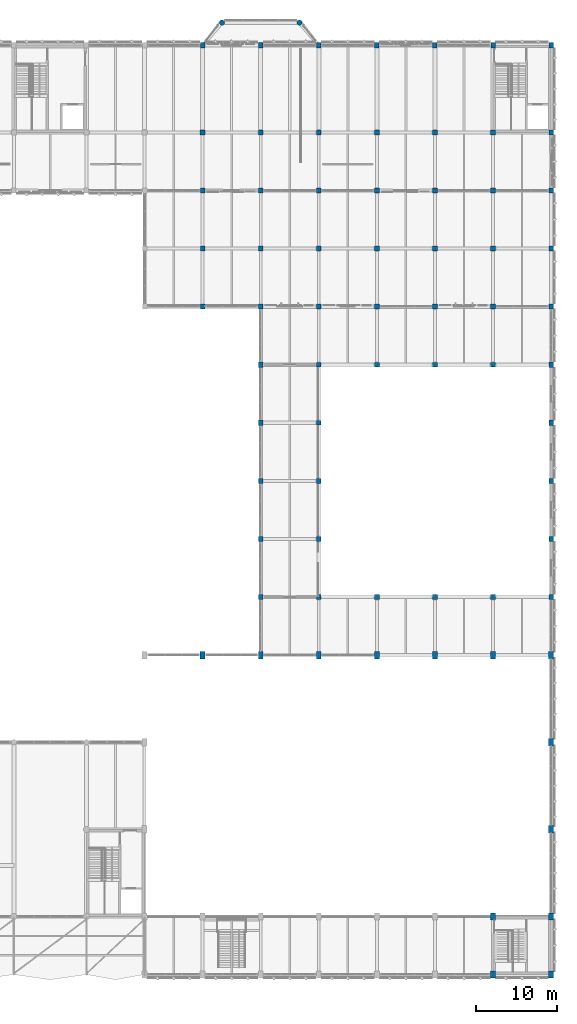
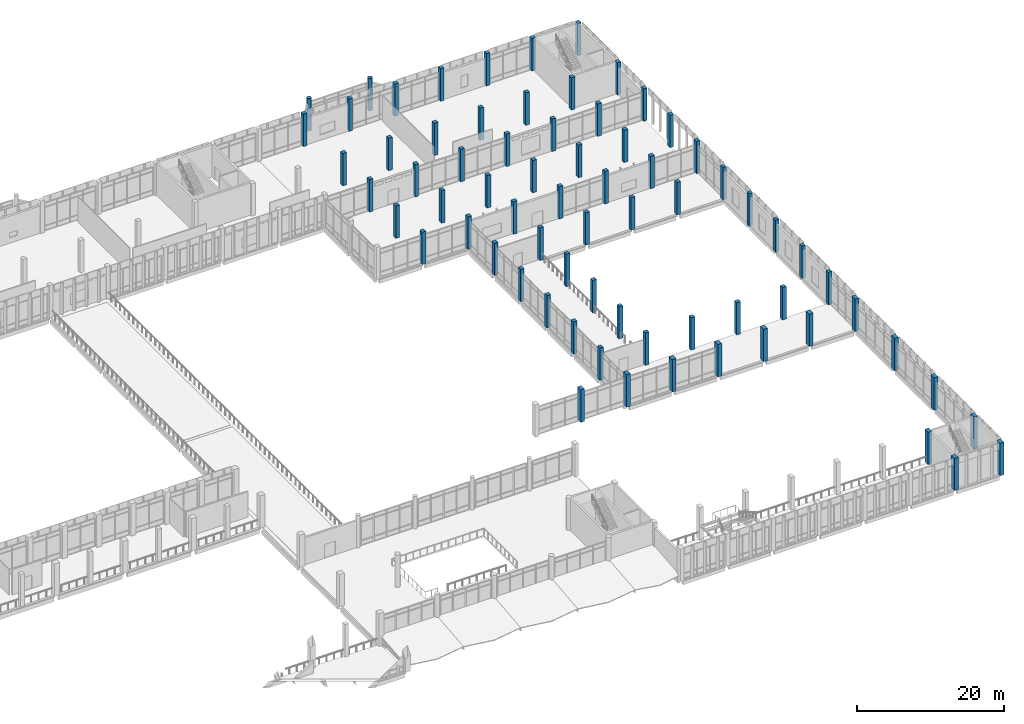
# One storey, part 7 of 180: 71 columns.
"""IFC4 building model written with IfcOpenShell, lengths in metres."""

import ifcopenshell
import ifcopenshell.guid

model = None  # the IFC model being written
_history = None  # IfcOwnerHistory: only IFC2X3 demands one
_inside = {}  # id of a spatial element -> (the spatial element, [elements in it])
_under = {}  # id of a project, library or spatial element -> (it, [spatial elements below it])
_declared = {}  # id of a project -> (the project, [libraries it declares])
_typed = {}  # id of a type object -> (the type object, [elements of that type])
_made_of = {}  # id of a material, layer set ... -> (it, [elements and type objects made of it])


def new_model(schema):
    """Start an empty IFC model of exactly this schema.

    Asked for "IFC4X3", IfcOpenShell would pick the latest addendum, in which some entities
    have other attributes; the version numbers below select the first issue.
    IFC2X3 requires an IfcOwnerHistory on every rooted entity: one is made here for all.
    """
    global model, _history
    if schema == "IFC4X3":
        model = ifcopenshell.file(schema_version=(4, 3, 0, 0))
    else:
        model = ifcopenshell.file(schema=schema)
    _inside.clear()
    _under.clear()
    _declared.clear()
    _typed.clear()
    _made_of.clear()
    _history = None
    if model.schema == "IFC2X3":
        org = make("IfcOrganization", Name="unknown")
        user = make(
            "IfcPersonAndOrganization",
            ThePerson=make("IfcPerson", FamilyName="unknown"),
            TheOrganization=org,
        )
        app = make(
            "IfcApplication",
            ApplicationDeveloper=org,
            Version="unknown",
            ApplicationFullName="unknown",
            ApplicationIdentifier="unknown",
        )
        _history = make(
            "IfcOwnerHistory",
            OwningUser=user,
            OwningApplication=app,
            ChangeAction="ADDED",
            CreationDate=0,
        )
    return model


def make(cls, **values):
    """One entity of the class cls with the attributes given. An attribute that is None is left unset."""
    return model.create_entity(
        cls, **{name: value for name, value in values.items() if value is not None}
    )


def rooted(cls, **values):
    """An entity with a GlobalId (a new one), such as an element, a storey or a relation."""
    return make(cls, GlobalId=ifcopenshell.guid.new(), OwnerHistory=_history, **values)


def si_unit(unit_type, name, prefix=None):
    """IfcSIUnit, for example si_unit("LENGTHUNIT", "METRE", prefix="MILLI")."""
    return make("IfcSIUnit", UnitType=unit_type, Prefix=prefix, Name=name)


def assignment(units):
    """IfcUnitAssignment: the units of a project."""
    return None if units is None else make("IfcUnitAssignment", Units=units)


def point(xyz):
    """IfcCartesianPoint."""
    return None if xyz is None else make("IfcCartesianPoint", Coordinates=xyz)


def direction(xyz):
    """IfcDirection."""
    return None if xyz is None else make("IfcDirection", DirectionRatios=xyz)


def frame(location, z_axis=None, x_axis=None):
    """IfcAxis2Placement3D, a coordinate frame: its origin and axes. An axis left out is left unset."""
    return make(
        "IfcAxis2Placement3D",
        Location=point(location),
        Axis=direction(z_axis),
        RefDirection=direction(x_axis),
    )


def frame_2d(location, x_axis=None):
    """IfcAxis2Placement2D, a coordinate frame in the plane: its origin and x axis."""
    return make(
        "IfcAxis2Placement2D", Location=point(location), RefDirection=direction(x_axis)
    )


def origin():
    """The frame at (0, 0, 0) with its axes left unset."""
    return frame((0.0, 0.0, 0.0))


def origin_2d():
    """The frame at (0, 0) in the plane with its x axis left unset."""
    return frame_2d((0.0, 0.0))


def place(relative_to, where):
    """IfcLocalPlacement: puts the frame where relative to a parent placement (None: the world)."""
    return make(
        "IfcLocalPlacement", PlacementRelTo=relative_to, RelativePlacement=where
    )


def context(
    kind, dimensions, precision=None, world=None, true_north=None, identifier=None
):
    """IfcGeometricRepresentationContext, for example the 3D "Model" context."""
    return make(
        "IfcGeometricRepresentationContext",
        ContextIdentifier=identifier,
        ContextType=kind,
        CoordinateSpaceDimension=dimensions,
        Precision=precision,
        WorldCoordinateSystem=world,
        TrueNorth=true_north,
    )


def subcontext(parent, identifier, kind, view, scale=None):
    """IfcGeometricRepresentationSubContext, for example "Body" below "Model"."""
    return make(
        "IfcGeometricRepresentationSubContext",
        ContextIdentifier=identifier,
        ContextType=kind,
        ParentContext=parent,
        TargetScale=scale,
        TargetView=view,
    )


def project(units=None, contexts=None):
    """IfcProject with its units and contexts."""
    return rooted(
        "IfcProject",
        Name="project",
        RepresentationContexts=contexts,
        UnitsInContext=assignment(units),
    )


def spatial(cls, under=None, at=None, **own):
    """A site, building, storey or space (cls), placed at a placement, below another one or the project."""
    s = rooted(cls, ObjectPlacement=at, **own)
    if under is not None:
        _under.setdefault(under.id(), (under, []))[1].append(s)
    return s


def profile(cls, at=None, kind="AREA", **sizes):
    """A parametric profile (cls). Its sizes go by their IFC names, for example OverallWidth=200.0."""
    return make(cls, ProfileType=kind, Position=at, **sizes)


def rectangle(**sizes):
    """IfcRectangleProfileDef."""
    return profile("IfcRectangleProfileDef", **sizes)


def circle(**sizes):
    """IfcCircleProfileDef."""
    return profile("IfcCircleProfileDef", **sizes)


def extrude(swept, where, along, depth):
    """IfcExtrudedAreaSolid: the profile swept, set in the frame where, extruded along a direction by depth."""
    return make(
        "IfcExtrudedAreaSolid",
        SweptArea=swept,
        Position=where,
        ExtrudedDirection=direction(along),
        Depth=depth,
    )


def shape(context_of_items, identifier, shape_type, items):
    """IfcShapeRepresentation: the items that make up one representation, for example the "Body"."""
    return make(
        "IfcShapeRepresentation",
        ContextOfItems=context_of_items,
        RepresentationIdentifier=identifier,
        RepresentationType=shape_type,
        Items=items,
    )


def material(Name=None, Category=None):
    """IfcMaterial."""
    return make("IfcMaterial", Name=Name, Category=Category)


def material_profile(
    of_material, cross_section, Name=None, Category=None, Priority=None
):
    """IfcMaterialProfile: a cross section and its material."""
    return make(
        "IfcMaterialProfile",
        Name=Name,
        Material=of_material,
        Profile=cross_section,
        Priority=Priority,
        Category=Category,
    )


def profile_set(profiles, Name=None, composite=None):
    """IfcMaterialProfileSet."""
    return make(
        "IfcMaterialProfileSet",
        Name=Name,
        MaterialProfiles=profiles,
        CompositeProfile=composite,
    )


def made_of(thing, what):
    """Note that an element or type object is made of a material, layer set ...; save() writes the relation."""
    if what is not None:
        _made_of.setdefault(what.id(), (what, []))[1].append(thing)
    return thing


def type_object(cls, material=None, **own):
    """A type object (cls), such as IfcWallType, which elements share."""
    return made_of(rooted(cls, **own), material)


def element(
    cls,
    number,
    at=None,
    inside=None,
    cuts=None,
    type_object=None,
    material=None,
    context=None,
    identifier="Body",
    shape_type=None,
    held_by="IfcProductDefinitionShape",
    body=None,
    shapes=None,
    **own,
):
    """One element of the class cls, such as IfcWall. Its Tag is "e" and its number.

    at: its placement. inside: the storey or other place that contains it. cuts: it is an
    opening in that element (IfcRelVoidsElement). A single representation is given by context,
    identifier, shape_type and body (its items); several are given by shapes. held_by: the class
    of the entity that holds the representations. save() writes the other relations.
    """
    e = rooted(cls, Tag="e%d" % number, ObjectPlacement=at, **own)
    if body is not None:
        shapes = [shape(context, identifier, shape_type, body)]
    if shapes is not None:
        e.Representation = make(held_by, Representations=shapes)
    if inside is not None:
        _inside.setdefault(inside.id(), (inside, []))[1].append(e)
    if cuts is not None:
        rooted(
            "IfcRelVoidsElement", RelatingBuildingElement=cuts, RelatedOpeningElement=e
        )
    if type_object is not None:
        _typed.setdefault(type_object.id(), (type_object, []))[1].append(e)
    return made_of(e, material)


def aggregate(whole, parts):
    """IfcRelAggregates: a whole, such as a stair, and the parts it consists of."""
    return rooted("IfcRelAggregates", RelatingObject=whole, RelatedObjects=parts)


def save(model, path):
    """Write the relations noted so far, then the file.

    IfcRelAggregates (storeys below a building ...), IfcRelContainedInSpatialStructure (elements
    in a storey), IfcRelDefinesByType, IfcRelAssociatesMaterial and IfcRelDeclares: one each for
    every whole, place, type object, material and project.
    """
    for whole, parts in _under.values():
        aggregate(whole, parts)
    for where, things in _inside.values():
        rooted(
            "IfcRelContainedInSpatialStructure",
            RelatedElements=things,
            RelatingStructure=where,
        )
    for kind, things in _typed.values():
        rooted("IfcRelDefinesByType", RelatedObjects=things, RelatingType=kind)
    for what, things in _made_of.values():
        rooted("IfcRelAssociatesMaterial", RelatedObjects=things, RelatingMaterial=what)
    for by, libraries in _declared.values():
        rooted("IfcRelDeclares", RelatingContext=by, RelatedDefinitions=libraries)
    model.write(path)


model = new_model("IFC4")

# Units and contexts
model_context = context("Model", 3, precision=1e-05, world=origin(), true_north=direction((0.0, 1.0)))
body_context = subcontext(model_context, "Body", "Model", "MODEL_VIEW")
ifc_project = project(units=[si_unit("LENGTHUNIT", "METRE"), si_unit("AREAUNIT", "SQUARE_METRE"), si_unit("VOLUMEUNIT", "CUBIC_METRE"), si_unit("PLANEANGLEUNIT", "RADIAN"), si_unit("MASSUNIT", "GRAM", prefix="KILO")], contexts=[model_context])

# Site, building, storey
site_placement = place(None, origin())
site = spatial("IfcSite", under=ifc_project, at=site_placement, CompositionType="ELEMENT")
building_placement = place(site_placement, origin())
building = spatial("IfcBuilding", under=site, at=building_placement, Name="Lusvemor Sports Hall", CompositionType="ELEMENT")
storey_placement = place(building_placement, frame((0.0, 0.0, 5.39990234375)))
storey = spatial("IfcBuildingStorey", under=building, at=storey_placement, Name="L01", CompositionType="ELEMENT", Elevation=5.39990234375)

# Columns
ifc_material_1 = material(Name="Concrete C40/50", Category="concrete")
ifc_material_profile_1 = material_profile(ifc_material_1, circle(Radius=0.324951171875, at=origin_2d()), Name="RCCIRC650")
ifc_profile_set_1 = profile_set([ifc_material_profile_1], Name="Concrete C40/50")
column_type_1 = type_object("IfcColumnType", Name="COL_COLONNADE", PredefinedType="COLUMN", material=ifc_profile_set_1)
for number, where, z_axis, x_axis, name in (
    (1, (128.39990234375, 118.0, 0.0), (0.0, 0.0, 1.0), (1.0, 0.0, 0.0), "Art Nouveau Bow Column BOW-N3-1 (L01)"),
    (2, (138.0, 118.0, 0.0), (0.0, 0.0, 1.0), (1.0, 0.0, 0.0), "Art Nouveau Bow Column BOW-N3-2 (L01)"),
):
    element("IfcColumn", number, at=place(storey_placement, frame(where, z_axis=z_axis, x_axis=x_axis)), inside=storey, type_object=column_type_1, Name=name, PredefinedType="COLUMN", context=body_context, shape_type="SweptSolid", body=[
        extrude(circle(Radius=0.324951171875, at=origin_2d()), origin(), (0.0, 0.0, 1.0), 5.400146484375),
    ])
ifc_material_2 = material(Name="Concrete C40/50", Category="concrete")
ifc_material_profile_2 = material_profile(ifc_material_2, rectangle(XDim=0.60009765625, YDim=0.89990234375, at=origin_2d()), Name="RC600x900")
ifc_profile_set_2 = profile_set([ifc_material_profile_2], Name="Concrete C40/50")
column_type_2 = type_object("IfcColumnType", Name="COL_STACK_E", PredefinedType="COLUMN", material=ifc_profile_set_2)
for number, where, z_axis, x_axis, name in (
    (3, (126.0, 39.60009765625, 0.0), (0.0, 0.0, 1.0), (1.0, 0.0, 0.0), "Column 14/E (L01)"),
    (4, (133.199951171875, 39.60009765625, 0.0), (0.0, 0.0, 1.0), (1.0, 0.0, 0.0), "Column 15/E (L01)"),
    (5, (140.39990234375, 39.60009765625, 0.0), (0.0, 0.0, 1.0), (1.0, 0.0, 0.0), "Column 16/E (L01)"),
    (6, (147.60009765625, 39.60009765625, 0.0), (0.0, 0.0, 1.0), (1.0, 0.0, 0.0), "Column 17/E (L01)"),
    (7, (154.800048828125, 39.60009765625, 0.0), (0.0, 0.0, 1.0), (1.0, 0.0, 0.0), "Column 18/E (L01)"),
    (8, (162.0, 0.0, 0.0), (0.0, 0.0, 1.0), (1.0, 0.0, 0.0), "Column 19/A (L01)"),
    (9, (162.0, 7.199951171875, 0.0), (0.0, 0.0, 1.0), (1.0, 0.0, 0.0), "Column 19/B (L01)"),
    (10, (162.0, 39.60009765625, 0.0), (0.0, 0.0, 1.0), (1.0, 0.0, 0.0), "Column 19/E (L01)"),
    (11, (169.199951171875, 0.0, 0.0), (0.0, 0.0, 1.0), (1.0, 0.0, 0.0), "Column 20/A (L01)"),
    (12, (169.199951171875, 7.199951171875, 0.0), (0.0, 0.0, 1.0), (1.0, 0.0, 0.0), "Column 20/B (L01)"),
    (13, (169.199951171875, 18.0, 0.0), (0.0, 0.0, 1.0), (1.0, 0.0, 0.0), "Column 20/C (L01)"),
    (14, (169.199951171875, 28.800048828125, 0.0), (0.0, 0.0, 1.0), (1.0, 0.0, 0.0), "Column 20/D (L01)"),
    (15, (169.199951171875, 39.60009765625, 0.0), (0.0, 0.0, 1.0), (1.0, 0.0, 0.0), "Column 20/E (L01)"),
):
    element("IfcColumn", number, at=place(storey_placement, frame(where, z_axis=z_axis, x_axis=x_axis)), inside=storey, type_object=column_type_2, Name=name, PredefinedType="COLUMN", context=body_context, shape_type="SweptSolid", body=[
        extrude(rectangle(XDim=0.60009765625, YDim=0.89990234375, at=origin_2d()), origin(), (0.0, 0.0, 1.0), 5.400146484375),
    ])
ifc_material_3 = material(Name="Concrete C40/50", Category="concrete")
ifc_material_profile_3 = material_profile(ifc_material_3, rectangle(XDim=0.56005859375, YDim=0.639892578125, at=origin_2d()), Name="RC560x640")
ifc_profile_set_3 = profile_set([ifc_material_profile_3], Name="Concrete C40/50")
column_type_3 = type_object("IfcColumnType", Name="COL_WING_E", PredefinedType="COLUMN", material=ifc_profile_set_3)
for number, where, z_axis, x_axis, name in (
    (16, (126.0, 82.800048828125, 0.0), (0.0, 0.0, 1.0), (1.0, 0.0, 0.0), "Column 14/L (L01)"),
    (17, (126.0, 90.0, 0.0), (0.0, 0.0, 1.0), (1.0, 0.0, 0.0), "Column 14/M (L01)"),
    (18, (126.0, 97.199951171875, 0.0), (0.0, 0.0, 1.0), (1.0, 0.0, 0.0), "Column 14/N (L01)"),
    (19, (126.0, 115.199951171875, 0.0), (0.0, 0.0, 1.0), (1.0, 0.0, 0.0), "Column 14/Q (L01)"),
    (20, (133.199951171875, 46.800048828125, 0.0), (0.0, 0.0, 1.0), (1.0, 0.0, 0.0), "Column 15/F (L01)"),
    (21, (133.199951171875, 54.0, 0.0), (0.0, 0.0, 1.0), (1.0, 0.0, 0.0), "Column 15/G (L01)"),
    (22, (133.199951171875, 61.199951171875, 0.0), (0.0, 0.0, 1.0), (1.0, 0.0, 0.0), "Column 15/H (L01)"),
    (23, (133.199951171875, 68.39990234375, 0.0), (0.0, 0.0, 1.0), (1.0, 0.0, 0.0), "Column 15/J (L01)"),
    (24, (133.199951171875, 75.60009765625, 0.0), (0.0, 0.0, 1.0), (1.0, 0.0, 0.0), "Column 15/K (L01)"),
    (25, (133.199951171875, 82.800048828125, 0.0), (0.0, 0.0, 1.0), (1.0, 0.0, 0.0), "Column 15/L (L01)"),
    (26, (133.199951171875, 90.0, 0.0), (0.0, 0.0, 1.0), (1.0, 0.0, 0.0), "Column 15/M (L01)"),
    (27, (133.199951171875, 97.199951171875, 0.0), (0.0, 0.0, 1.0), (1.0, 0.0, 0.0), "Column 15/N (L01)"),
    (28, (133.199951171875, 115.199951171875, 0.0), (0.0, 0.0, 1.0), (1.0, 0.0, 0.0), "Column 15/Q (L01)"),
    (29, (140.39990234375, 115.199951171875, 0.0), (0.0, 0.0, 1.0), (1.0, 0.0, 0.0), "Column 16/Q (L01)"),
    (30, (147.60009765625, 115.199951171875, 0.0), (0.0, 0.0, 1.0), (1.0, 0.0, 0.0), "Column 17/Q (L01)"),
    (31, (154.800048828125, 115.199951171875, 0.0), (0.0, 0.0, 1.0), (1.0, 0.0, 0.0), "Column 18/Q (L01)"),
    (32, (162.0, 115.199951171875, 0.0), (0.0, 0.0, 1.0), (1.0, 0.0, 0.0), "Column 19/Q (L01)"),
    (33, (169.199951171875, 46.800048828125, 0.0), (0.0, 0.0, 1.0), (1.0, 0.0, 0.0), "Column 20/F (L01)"),
    (34, (169.199951171875, 54.0, 0.0), (0.0, 0.0, 1.0), (1.0, 0.0, 0.0), "Column 20/G (L01)"),
    (35, (169.199951171875, 61.199951171875, 0.0), (0.0, 0.0, 1.0), (1.0, 0.0, 0.0), "Column 20/H (L01)"),
    (36, (169.199951171875, 68.39990234375, 0.0), (0.0, 0.0, 1.0), (1.0, 0.0, 0.0), "Column 20/J (L01)"),
    (37, (169.199951171875, 75.60009765625, 0.0), (0.0, 0.0, 1.0), (1.0, 0.0, 0.0), "Column 20/K (L01)"),
    (38, (169.199951171875, 82.800048828125, 0.0), (0.0, 0.0, 1.0), (1.0, 0.0, 0.0), "Column 20/L (L01)"),
    (39, (169.199951171875, 90.0, 0.0), (0.0, 0.0, 1.0), (1.0, 0.0, 0.0), "Column 20/M (L01)"),
    (40, (169.199951171875, 97.199951171875, 0.0), (0.0, 0.0, 1.0), (1.0, 0.0, 0.0), "Column 20/N (L01)"),
    (41, (169.199951171875, 104.39990234375, 0.0), (0.0, 0.0, 1.0), (1.0, 0.0, 0.0), "Column 20/P (L01)"),
    (42, (169.199951171875, 115.199951171875, 0.0), (0.0, 0.0, 1.0), (1.0, 0.0, 0.0), "Column 20/Q (L01)"),
):
    element("IfcColumn", number, at=place(storey_placement, frame(where, z_axis=z_axis, x_axis=x_axis)), inside=storey, type_object=column_type_3, Name=name, PredefinedType="COLUMN", context=body_context, shape_type="SweptSolid", body=[
        extrude(rectangle(XDim=0.56005859375, YDim=0.639892578125, at=origin_2d()), origin(), (0.0, 0.0, 1.0), 5.400146484375),
    ])
ifc_material_4 = material(Name="Concrete C40/50", Category="concrete")
ifc_material_profile_4 = material_profile(ifc_material_4, rectangle(XDim=0.60009765625, YDim=0.60009765625, at=origin_2d()), Name="RC600x600")
ifc_profile_set_4 = profile_set([ifc_material_profile_4], Name="Concrete C40/50")
column_type_4 = type_object("IfcColumnType", Name="COL_WING_L", PredefinedType="COLUMN", material=ifc_profile_set_4)
for number, where, z_axis, x_axis, name in (
    (43, (126.0, 104.39990234375, 0.0), (0.0, 0.0, 1.0), (1.0, 0.0, 0.0), "Column 14/P (L01)"),
    (44, (133.199951171875, 104.39990234375, 0.0), (0.0, 0.0, 1.0), (1.0, 0.0, 0.0), "Column 15/P (L01)"),
    (45, (140.39990234375, 46.800048828125, 0.0), (0.0, 0.0, 1.0), (1.0, 0.0, 0.0), "Column 16/F (L01)"),
    (46, (140.39990234375, 54.0, 0.0), (0.0, 0.0, 1.0), (1.0, 0.0, 0.0), "Column 16/G (L01)"),
    (47, (140.39990234375, 61.199951171875, 0.0), (0.0, 0.0, 1.0), (1.0, 0.0, 0.0), "Column 16/H (L01)"),
    (48, (140.39990234375, 68.39990234375, 0.0), (0.0, 0.0, 1.0), (1.0, 0.0, 0.0), "Column 16/J (L01)"),
    (49, (140.39990234375, 75.60009765625, 0.0), (0.0, 0.0, 1.0), (1.0, 0.0, 0.0), "Column 16/K (L01)"),
    (50, (140.39990234375, 82.800048828125, 0.0), (0.0, 0.0, 1.0), (1.0, 0.0, 0.0), "Column 16/L (L01)"),
    (51, (140.39990234375, 90.0, 0.0), (0.0, 0.0, 1.0), (1.0, 0.0, 0.0), "Column 16/M (L01)"),
    (52, (140.39990234375, 97.199951171875, 0.0), (0.0, 0.0, 1.0), (1.0, 0.0, 0.0), "Column 16/N (L01)"),
    (53, (140.39990234375, 104.39990234375, 0.0), (0.0, 0.0, 1.0), (1.0, 0.0, 0.0), "Column 16/P (L01)"),
    (54, (147.60009765625, 46.800048828125, 0.0), (0.0, 0.0, 1.0), (1.0, 0.0, 0.0), "Column 17/F (L01)"),
    (55, (147.60009765625, 75.60009765625, 0.0), (0.0, 0.0, 1.0), (1.0, 0.0, 0.0), "Column 17/K (L01)"),
    (56, (147.60009765625, 82.800048828125, 0.0), (0.0, 0.0, 1.0), (1.0, 0.0, 0.0), "Column 17/L (L01)"),
    (57, (147.60009765625, 90.0, 0.0), (0.0, 0.0, 1.0), (1.0, 0.0, 0.0), "Column 17/M (L01)"),
    (58, (147.60009765625, 97.199951171875, 0.0), (0.0, 0.0, 1.0), (1.0, 0.0, 0.0), "Column 17/N (L01)"),
    (59, (147.60009765625, 104.39990234375, 0.0), (0.0, 0.0, 1.0), (1.0, 0.0, 0.0), "Column 17/P (L01)"),
    (60, (154.800048828125, 46.800048828125, 0.0), (0.0, 0.0, 1.0), (1.0, 0.0, 0.0), "Column 18/F (L01)"),
    (61, (154.800048828125, 75.60009765625, 0.0), (0.0, 0.0, 1.0), (1.0, 0.0, 0.0), "Column 18/K (L01)"),
    (62, (154.800048828125, 82.800048828125, 0.0), (0.0, 0.0, 1.0), (1.0, 0.0, 0.0), "Column 18/L (L01)"),
    (63, (154.800048828125, 90.0, 0.0), (0.0, 0.0, 1.0), (1.0, 0.0, 0.0), "Column 18/M (L01)"),
    (64, (154.800048828125, 97.199951171875, 0.0), (0.0, 0.0, 1.0), (1.0, 0.0, 0.0), "Column 18/N (L01)"),
    (65, (154.800048828125, 104.39990234375, 0.0), (0.0, 0.0, 1.0), (1.0, 0.0, 0.0), "Column 18/P (L01)"),
    (66, (162.0, 46.800048828125, 0.0), (0.0, 0.0, 1.0), (1.0, 0.0, 0.0), "Column 19/F (L01)"),
    (67, (162.0, 75.60009765625, 0.0), (0.0, 0.0, 1.0), (1.0, 0.0, 0.0), "Column 19/K (L01)"),
    (68, (162.0, 82.800048828125, 0.0), (0.0, 0.0, 1.0), (1.0, 0.0, 0.0), "Column 19/L (L01)"),
    (69, (162.0, 90.0, 0.0), (0.0, 0.0, 1.0), (1.0, 0.0, 0.0), "Column 19/M (L01)"),
    (70, (162.0, 97.199951171875, 0.0), (0.0, 0.0, 1.0), (1.0, 0.0, 0.0), "Column 19/N (L01)"),
    (71, (162.0, 104.39990234375, 0.0), (0.0, 0.0, 1.0), (1.0, 0.0, 0.0), "Column 19/P (L01)"),
):
    element("IfcColumn", number, at=place(storey_placement, frame(where, z_axis=z_axis, x_axis=x_axis)), inside=storey, type_object=column_type_4, Name=name, PredefinedType="COLUMN", context=body_context, shape_type="SweptSolid", body=[
        extrude(rectangle(XDim=0.60009765625, YDim=0.60009765625, at=origin_2d()), origin(), (0.0, 0.0, 1.0), 5.400146484375),
    ])

save(model, "model.ifc")
